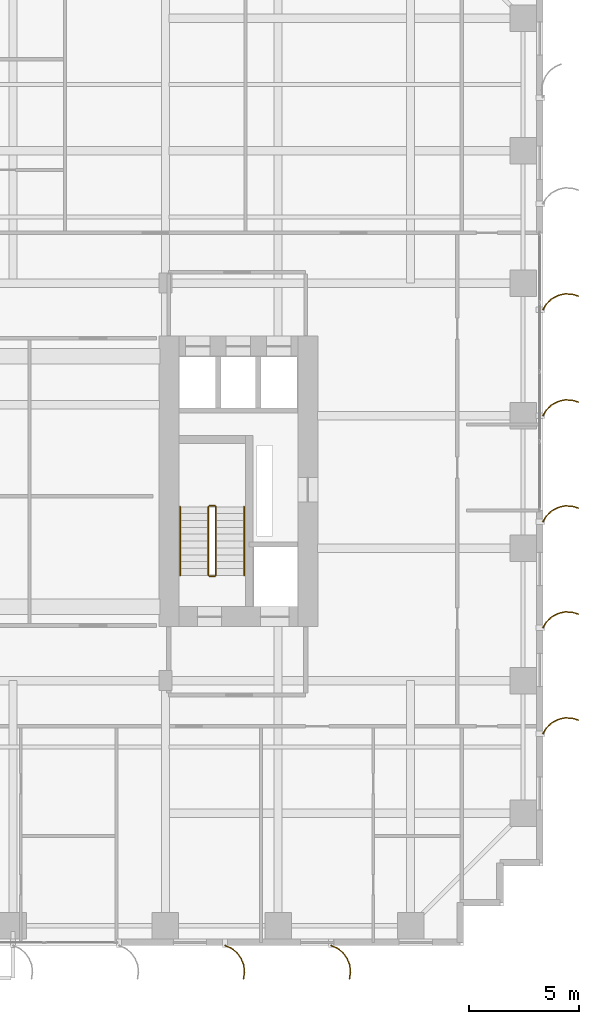
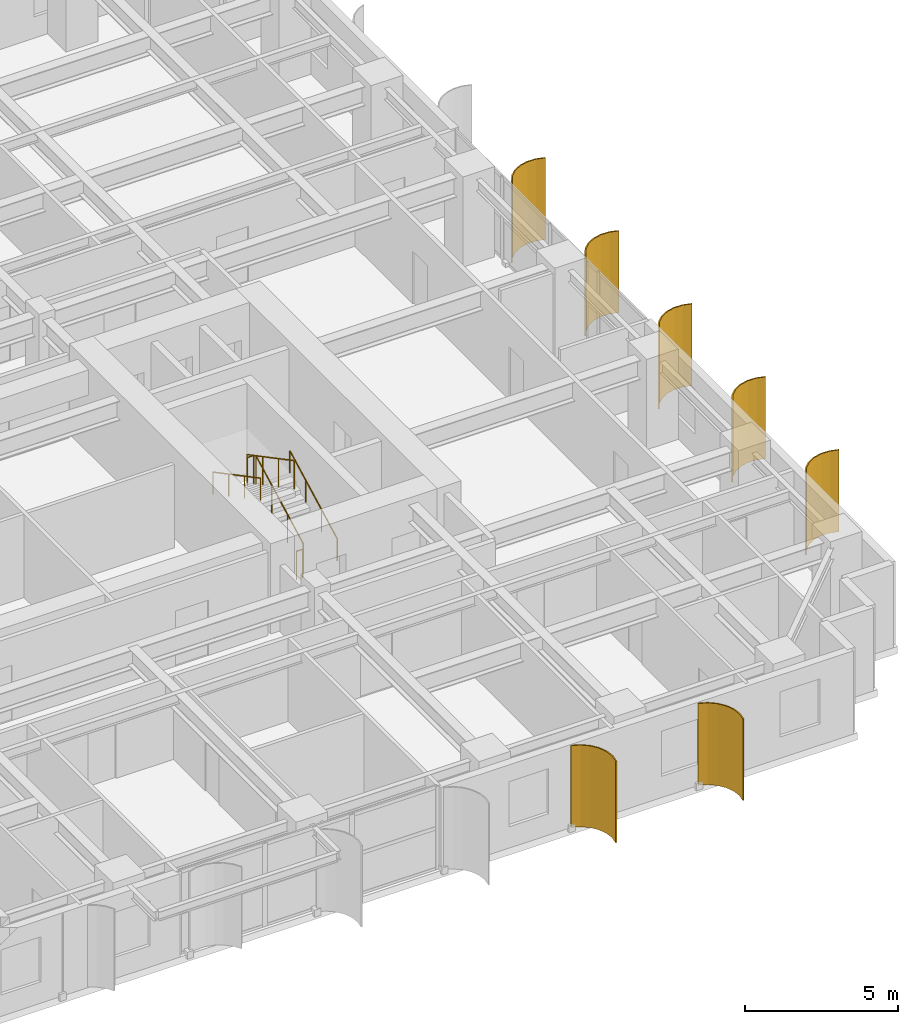
# One storey, part 21 of 22: 7 shading devices, 6 railings.
"""IFC4 building model written with IfcOpenShell, lengths in metres."""

from ifc_helpers import new_model, si_unit, direction, frame, origin, origin_2d, place, context, subcontext, project, spatial, polyline, circle, outline, extrude, source, transform, mapped, material, layer, layer_set, type_object, element, save


model = new_model("IFC4")

# Units and contexts
model_context = context("Model", 3, precision=1e-05, world=origin(), true_north=direction((0.0, 1.0)))
body_context = subcontext(model_context, "Body", "Model", "MODEL_VIEW")
ifc_project = project(units=[si_unit("LENGTHUNIT", "METRE"), si_unit("AREAUNIT", "SQUARE_METRE"), si_unit("VOLUMEUNIT", "CUBIC_METRE"), si_unit("PLANEANGLEUNIT", "RADIAN"), si_unit("MASSUNIT", "GRAM", prefix="KILO")], contexts=[model_context])

# Site, building, storey
site_placement = place(None, origin())
site = spatial("IfcSite", under=ifc_project, at=site_placement, CompositionType="ELEMENT")
building_placement = place(site_placement, origin())
building = spatial("IfcBuilding", under=site, at=building_placement, Name="Khoralis Quay Care Tower", CompositionType="ELEMENT")
storey_placement = place(building_placement, frame((0.0, 0.0, 44.10009765625)))
storey = spatial("IfcBuildingStorey", under=building, at=storey_placement, Name="L11", CompositionType="ELEMENT", Elevation=44.10009765625)

# Railings
ifc_material_1 = material(Name="Brushed stainless steel", Category="steel")
railing_type_1 = type_object("IfcRailingType", Name="RL-GUARD-1150", PredefinedType="GUARDRAIL", material=ifc_material_1)
railing_1_placement = place(storey_placement, frame((33.18994140625, 16.77001953125, 0.16357421875)))
element("IfcRailing", 1, at=railing_1_placement, inside=storey, type_object=railing_type_1, Name="L11 ST-T2 stair guard 1", PredefinedType="GUARDRAIL", context=body_context, shape_type="SweptSolid", body=[
    extrude(circle(Radius=0.02392578125, at=origin_2d()), frame((0.0, 0.0, 1.1259765625), z_axis=(0.0, 0.884376766648, 0.46677375099), x_axis=(-1.0, 0.0, 0.0)), (0.0, 0.0, 1.0), 3.50537109375),
    extrude(circle(Radius=0.02099609375, at=origin_2d()), origin(), (0.0, 0.0, 1.0), 1.101806640625),
    extrude(circle(Radius=0.02099609375, at=origin_2d()), frame((0.0, 1.033447265625, 0.54541015625)), (0.0, 0.0, 1.0), 1.101806640625),
    extrude(circle(Radius=0.02099609375, at=origin_2d()), frame((0.0, 2.066650390625, 1.0908203125)), (0.0, 0.0, 1.0), 1.101806640625),
    extrude(circle(Radius=0.02099609375, at=origin_2d()), frame((0.0, 3.10009765625, 1.63623046875)), (0.0, 0.0, 1.0), 1.101806640625),
])
railing_2_placement = place(storey_placement, frame((33.139892578125, 19.919921875, 1.7998046875)))
element("IfcRailing", 2, at=railing_2_placement, inside=storey, type_object=railing_type_1, Name="L11 ST-T2 stair guard 2", PredefinedType="GUARDRAIL", context=body_context, shape_type="SweptSolid", body=[
    extrude(circle(Radius=0.02392578125, at=origin_2d()), frame((0.0, 0.0, 1.1259765625), z_axis=(-1.0, 0.0, 0.0), x_axis=(0.0, -1.0, 0.0)), (0.0, 0.0, 1.0), 0.239990234375),
    extrude(circle(Radius=0.02099609375, at=origin_2d()), origin(), (0.0, 0.0, 1.0), 1.101806640625),
    extrude(circle(Radius=0.02099609375, at=origin_2d()), frame((-0.239990234375, 0.0, 0.0)), (0.0, 0.0, 1.0), 1.101806640625),
])
railing_3_placement = place(storey_placement, frame((32.85009765625, 19.8701171875, 1.963623046875)))
element("IfcRailing", 3, at=railing_3_placement, inside=storey, type_object=railing_type_1, Name="L11 ST-T2 stair guard 3", PredefinedType="GUARDRAIL", context=body_context, shape_type="SweptSolid", body=[
    extrude(circle(Radius=0.02392578125, at=origin_2d()), frame((0.0, 0.0, 1.1259765625), z_axis=(0.0, -0.884376766648, 0.46677375099), x_axis=(1.0, 0.0, 0.0)), (0.0, 0.0, 1.0), 3.50537109375),
    extrude(circle(Radius=0.02099609375, at=origin_2d()), origin(), (0.0, 0.0, 1.0), 1.101806640625),
    extrude(circle(Radius=0.02099609375, at=origin_2d()), frame((0.0, -1.033447265625, 0.54541015625)), (0.0, 0.0, 1.0), 1.101806640625),
    extrude(circle(Radius=0.02099609375, at=origin_2d()), frame((0.0, -2.066650390625, 1.0908203125)), (0.0, 0.0, 1.0), 1.101806640625),
    extrude(circle(Radius=0.02099609375, at=origin_2d()), frame((0.0, -3.10009765625, 1.63623046875)), (0.0, 0.0, 1.0), 1.101806640625),
])
railing_4_placement = place(storey_placement, frame((33.139892578125, 16.719970703125, 0.0)))
element("IfcRailing", 4, at=railing_4_placement, inside=storey, type_object=railing_type_1, Name="L11 ST-T2 stair guard 4", PredefinedType="GUARDRAIL", context=body_context, shape_type="SweptSolid", body=[
    extrude(circle(Radius=0.02392578125, at=origin_2d()), frame((0.0, 0.0, 1.1259765625), z_axis=(-1.0, 0.0, 0.0), x_axis=(0.0, -1.0, 0.0)), (0.0, 0.0, 1.0), 0.239990234375),
    extrude(circle(Radius=0.02099609375, at=origin_2d()), origin(), (0.0, 0.0, 1.0), 1.101806640625),
    extrude(circle(Radius=0.02099609375, at=origin_2d()), frame((-0.239990234375, 0.0, 0.0)), (0.0, 0.0, 1.0), 1.101806640625),
])
railing_type_2 = type_object("IfcRailingType", Name="RL-HAND-900", PredefinedType="HANDRAIL", material=ifc_material_1)
railing_5_placement = place(storey_placement, frame((34.469970703125, 16.77001953125, 0.16357421875)))
element("IfcRailing", 5, at=railing_5_placement, inside=storey, type_object=railing_type_2, Name="L11 ST-T2 stair handrail 1", PredefinedType="HANDRAIL", context=body_context, shape_type="SweptSolid", body=[
    extrude(circle(Radius=0.02392578125, at=origin_2d()), frame((0.0, 0.0, 0.8759765625), z_axis=(0.0, 0.884376766648, 0.46677375099), x_axis=(-1.0, 0.0, 0.0)), (0.0, 0.0, 1.0), 3.50537109375),
    extrude(circle(Radius=0.02099609375, at=origin_2d()), origin(), (0.0, 0.0, 1.0), 0.851806640625),
    extrude(circle(Radius=0.02099609375, at=origin_2d()), frame((0.0, 1.033447265625, 0.54541015625)), (0.0, 0.0, 1.0), 0.851806640625),
    extrude(circle(Radius=0.02099609375, at=origin_2d()), frame((0.0, 2.066650390625, 1.0908203125)), (0.0, 0.0, 1.0), 0.851806640625),
    extrude(circle(Radius=0.02099609375, at=origin_2d()), frame((0.0, 3.10009765625, 1.63623046875)), (0.0, 0.0, 1.0), 0.851806640625),
])
railing_6_placement = place(storey_placement, frame((31.570068359375, 19.8701171875, 1.963623046875)))
element("IfcRailing", 6, at=railing_6_placement, inside=storey, type_object=railing_type_2, Name="L11 ST-T2 stair handrail 2", PredefinedType="HANDRAIL", context=body_context, shape_type="SweptSolid", body=[
    extrude(circle(Radius=0.02392578125, at=origin_2d()), frame((0.0, 0.0, 0.8759765625), z_axis=(0.0, -0.884376766648, 0.46677375099), x_axis=(1.0, 0.0, 0.0)), (0.0, 0.0, 1.0), 3.50537109375),
    extrude(circle(Radius=0.02099609375, at=origin_2d()), origin(), (0.0, 0.0, 1.0), 0.851806640625),
    extrude(circle(Radius=0.02099609375, at=origin_2d()), frame((0.0, -1.033447265625, 0.54541015625)), (0.0, 0.0, 1.0), 0.851806640625),
    extrude(circle(Radius=0.02099609375, at=origin_2d()), frame((0.0, -2.066650390625, 1.0908203125)), (0.0, 0.0, 1.0), 0.851806640625),
    extrude(circle(Radius=0.02099609375, at=origin_2d()), frame((0.0, -3.10009765625, 1.63623046875)), (0.0, 0.0, 1.0), 0.851806640625),
])

# Shading devices
ifc_material_2 = material(Name="Brushed pale anodised aluminium", Category="aluminium")
ifc_layer = layer(ifc_material_2, 0.044921875)
ifc_layer_set = layer_set([ifc_layer], Name="Brushed pale anodised aluminium")
shading_device_type = type_object("IfcShadingDeviceType", Name="SHD-FIN-1250", PredefinedType="USERDEFINED", material=ifc_layer_set)
shared_shape_1 = source(origin(), body_context, "Body", "SweptSolid", [
    extrude(outline(polyline([(0.0, 0.0), (0.130126953125, 0.29931640625), (0.333251953125, 0.5546875), (0.595458984375, 0.748779296875), (0.899169921875, 0.868408203125), (1.223388671875, 0.9052734375), (1.546142578125, 0.85693359375), (1.53369140625, 0.813720703125), (1.22265625, 0.8603515625), (0.91015625, 0.82470703125), (0.617431640625, 0.70947265625), (0.364501953125, 0.522216796875), (0.168701171875, 0.276123046875), (0.043212890625, -0.012451171875), (0.0, 0.0)])), origin(), (0.0, 0.0, 1.0), 3.259765625),
])
for number, where, z_axis, x_axis, name in (
    (7, (33.60009765625, 0.030029296875, 0.02001953125), (0.0, 0.0, 1.0), (0.0, -1.0, 0.0), "L11 Curved Solar Fin P1E0-06"),
    (8, (38.39990234375, 0.030029296875, 0.02001953125), (0.0, 0.0, 1.0), (0.0, -1.0, 0.0), "L11 Curved Solar Fin P1E0-07"),
):
    element("IfcShadingDevice", number, at=place(storey_placement, frame(where, z_axis=z_axis, x_axis=x_axis)), inside=storey, type_object=shading_device_type, Name=name, ObjectType="FIN", PredefinedType="USERDEFINED", context=body_context, shape_type="MappedRepresentation", body=[
        mapped(shared_shape_1, transform((0.0, 0.0, 0.0), scale=1.0)),
    ])
shared_shape_2 = source(origin(), body_context, "Body", "SweptSolid", [
    extrude(outline(polyline([(0.0, 0.0), (0.17041015625, 0.2783203125), (0.4072265625, 0.5029296875), (0.694091796875, 0.658447265625), (1.01123046875, 0.734619140625), (1.33740234375, 0.72607421875), (1.650390625, 0.633544921875), (1.632080078125, 0.59228515625), (1.330322265625, 0.681640625), (1.015869140625, 0.68994140625), (0.710205078125, 0.616455078125), (0.43359375, 0.466552734375), (0.20556640625, 0.25), (0.041015625, -0.018310546875), (0.0, 0.0)])), origin(), (0.0, 0.0, 1.0), 3.259765625),
])
for number, where, z_axis, x_axis, name in (
    (9, (47.969970703125, 9.60009765625, 0.02001953125), (0.0, 0.0, 1.0), (1.0, 0.0, 0.0), "L11 Curved Solar Fin P1E5-01"),
    (10, (47.969970703125, 14.39990234375, 0.02001953125), (0.0, 0.0, 1.0), (1.0, 0.0, 0.0), "L11 Curved Solar Fin P1E5-02"),
    (11, (47.969970703125, 19.199951171875, 0.02001953125), (0.0, 0.0, 1.0), (1.0, 0.0, 0.0), "L11 Curved Solar Fin P1E5-03"),
    (12, (47.969970703125, 24.0, 0.02001953125), (0.0, 0.0, 1.0), (1.0, 0.0, 0.0), "L11 Curved Solar Fin P1E5-04"),
    (13, (47.969970703125, 28.800048828125, 0.02001953125), (0.0, 0.0, 1.0), (1.0, 0.0, 0.0), "L11 Curved Solar Fin P1E5-05"),
):
    element("IfcShadingDevice", number, at=place(storey_placement, frame(where, z_axis=z_axis, x_axis=x_axis)), inside=storey, type_object=shading_device_type, Name=name, ObjectType="FIN", PredefinedType="USERDEFINED", context=body_context, shape_type="MappedRepresentation", body=[
        mapped(shared_shape_2, transform((0.0, 0.0, 0.0), scale=1.0)),
    ])

save(model, "model.ifc")
